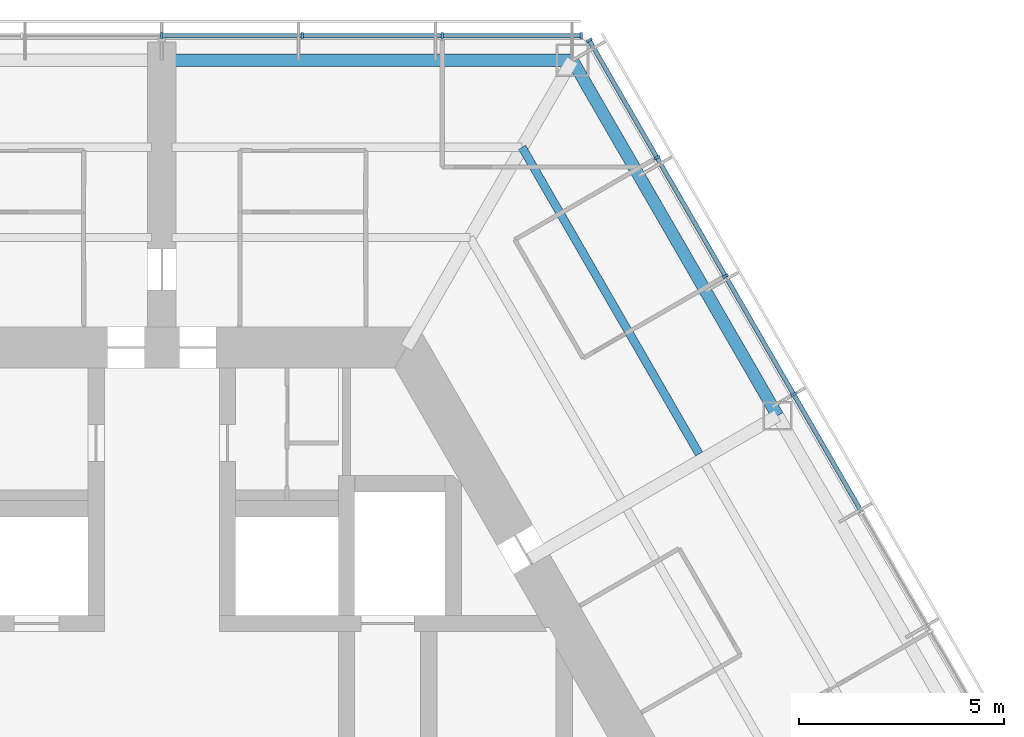
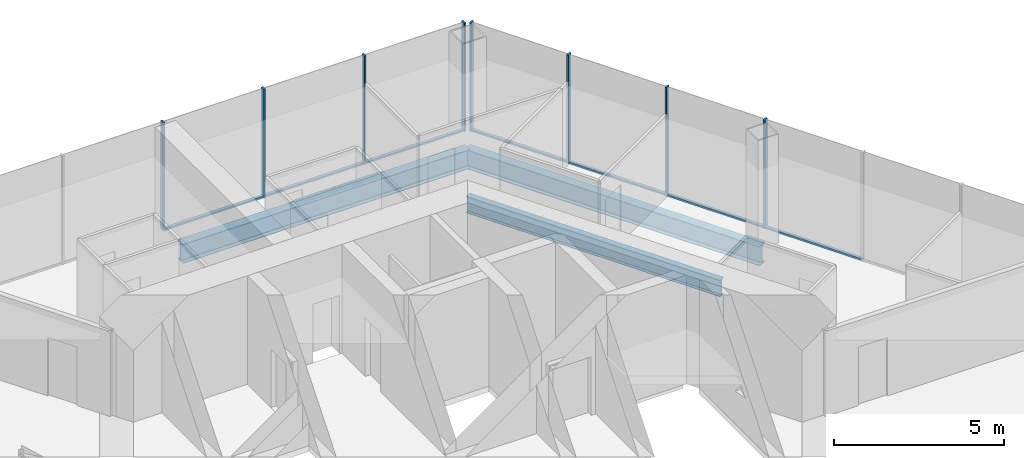
# One storey, part 8 of 18: 15 members, 3 beams, 2 elements without a shape of their own.
"""IFC4 building model written with IfcOpenShell, lengths in metres."""

from ifc_helpers import new_model, si_unit, direction, frame, origin, origin_2d, place, context, subcontext, project, spatial, rectangle, i_section, extrude, material, material_profile, profile_set, type_object, element, aggregate, save


model = new_model("IFC4")

# Units and contexts
model_context = context("Model", 3, precision=1e-05, world=origin(), true_north=direction((0.0, 1.0)))
body_context = subcontext(model_context, "Body", "Model", "MODEL_VIEW")
ifc_project = project(units=[si_unit("LENGTHUNIT", "METRE"), si_unit("AREAUNIT", "SQUARE_METRE"), si_unit("VOLUMEUNIT", "CUBIC_METRE"), si_unit("PLANEANGLEUNIT", "RADIAN"), si_unit("MASSUNIT", "GRAM", prefix="KILO")], contexts=[model_context])

# Site, building, storey
site_placement = place(None, origin())
site = spatial("IfcSite", under=ifc_project, at=site_placement, CompositionType="ELEMENT")
building_placement = place(site_placement, origin())
building = spatial("IfcBuilding", under=site, at=building_placement, Name="Kasaneha Research Tower", CompositionType="ELEMENT")
storey_placement = place(building_placement, frame((0.0, 0.0, 152.60009765625)))
storey = spatial("IfcBuildingStorey", under=building, at=storey_placement, Name="L38", CompositionType="ELEMENT", Elevation=152.60009765625)

# Beam
ifc_material_1 = material(Name="Steel SN490B", Category="steel")
ifc_material_profile_1 = material_profile(ifc_material_1, i_section(OverallWidth=0.199951171875, OverallDepth=0.60009765625, WebThickness=0.010986328125, FlangeThickness=0.01708984375, FilletRadius=0.012939453125, at=origin_2d()), Name="H-600x200x11x17")
ifc_profile_set_1 = profile_set([ifc_material_profile_1], Name="Steel SN490B")
beam_type_1 = type_object("IfcBeamType", Name="B1-3 secondary beam H-600x200x11x17", PredefinedType="JOIST", material=ifc_profile_set_1)
beam_1_placement = place(storey_placement, frame((8.775634765625, 15.199951171875, -0.4501953125), z_axis=(0.500017275495, -0.866015429543, 0.0), x_axis=(0.866015429543, 0.500017275495, 0.0)))
element("IfcBeam", 1, at=beam_1_placement, inside=storey, type_object=beam_type_1, Name="Secondary beam RS030R2 L38", PredefinedType="JOIST", context=body_context, shape_type="SweptSolid", body=[
    extrude(i_section(OverallWidth=0.199951171875, OverallDepth=0.60009765625, WebThickness=0.010986328125, FlangeThickness=0.01708984375, FilletRadius=0.012939453125, at=origin_2d()), origin(), (0.0, 0.0, 1.0), 8.625732421875),
])

# Curtain wall, members
ifc_material_2 = material(Name="Glass and aluminium", Category="aluminium")
curtain_wall_type = type_object("IfcCurtainWallType", Name="Mid-rise office curtain wall", PredefinedType="USERDEFINED", material=ifc_material_2)
curtain_wall_1_placement = place(storey_placement, origin())
curtain_wall_1 = element("IfcCurtainWall", 2, at=curtain_wall_1_placement, inside=storey, type_object=curtain_wall_type, Name="CW-O2 L38 run 06a", ObjectType="UNITISED CURTAIN WALL", PredefinedType="USERDEFINED")
ifc_material_3 = material(Name="Aluminium 6063-T6", Category="aluminium")
ifc_material_profile_2 = material_profile(ifc_material_3, rectangle(XDim=0.06005859375, YDim=0.14990234375, at=origin_2d()), Name="CW-O2 mullion 60x150")
ifc_profile_set_2 = profile_set([ifc_material_profile_2], Name="Aluminium 6063-T6")
member_type_1 = type_object("IfcMemberType", Name="CW-O2 mullion", PredefinedType="MULLION", material=ifc_profile_set_2)
member_1_placement = place(storey_placement, frame((15.392822265625, 9.179931640625, 0.0), z_axis=(0.0, 0.0, 1.0), x_axis=(-0.499999979232, 0.866025415775, 0.0)))
member_1 = element("IfcMember", 3, at=member_1_placement, type_object=member_type_1, Name="CW-O2 mullion 4", PredefinedType="MULLION", context=body_context, shape_type="SweptSolid", body=[
    extrude(rectangle(XDim=0.06005859375, YDim=0.14990234375, at=origin_2d()), origin(), (0.0, 0.0, 1.0), 3.89990234375),
])
member_2_placement = place(storey_placement, frame((13.727294921875, 12.064453125, 0.0), z_axis=(0.0, 0.0, 1.0), x_axis=(-0.499999979232, 0.866025415775, 0.0)))
member_2 = element("IfcMember", 4, at=member_2_placement, type_object=member_type_1, Name="CW-O2 mullion 5", PredefinedType="MULLION", context=body_context, shape_type="SweptSolid", body=[
    extrude(rectangle(XDim=0.06005859375, YDim=0.14990234375, at=origin_2d()), origin(), (0.0, 0.0, 1.0), 3.89990234375),
])
member_3_placement = place(storey_placement, frame((12.061767578125, 14.94921875, 0.0), z_axis=(0.0, 0.0, 1.0), x_axis=(-0.499999979232, 0.866025415775, 0.0)))
member_3 = element("IfcMember", 5, at=member_3_placement, type_object=member_type_1, Name="CW-O2 mullion 6", PredefinedType="MULLION", context=body_context, shape_type="SweptSolid", body=[
    extrude(rectangle(XDim=0.06005859375, YDim=0.14990234375, at=origin_2d()), origin(), (0.0, 0.0, 1.0), 3.89990234375),
])
member_4_placement = place(storey_placement, frame((10.411376953125, 17.807861328125, 0.0), z_axis=(0.0, 0.0, 1.0), x_axis=(-0.499999979232, 0.866025415775, 0.0)))
member_4 = element("IfcMember", 6, at=member_4_placement, type_object=member_type_1, Name="CW-O2 mullion 7", PredefinedType="MULLION", context=body_context, shape_type="SweptSolid", body=[
    extrude(rectangle(XDim=0.06005859375, YDim=0.14990234375, at=origin_2d()), origin(), (0.0, 0.0, 1.0), 3.89990234375),
])

curtain_wall_2_placement = place(storey_placement, origin())
curtain_wall_2 = element("IfcCurtainWall", 7, at=curtain_wall_2_placement, inside=storey, type_object=curtain_wall_type, Name="CW-O2 L38 run 07a", ObjectType="UNITISED CURTAIN WALL", PredefinedType="USERDEFINED")
member_5_placement = place(storey_placement, frame((10.21630859375, 17.92041015625, 0.0), z_axis=(0.0, 0.0, 1.0), x_axis=(-1.0, 0.0, 0.0)))
member_5 = element("IfcMember", 8, at=member_5_placement, type_object=member_type_1, Name="CW-O2 mullion 1", PredefinedType="MULLION", context=body_context, shape_type="SweptSolid", body=[
    extrude(rectangle(XDim=0.06005859375, YDim=0.14990234375, at=origin_2d()), origin(), (0.0, 0.0, 1.0), 3.89990234375),
])
member_6_placement = place(storey_placement, frame((6.8310546875, 17.92041015625, 0.0), z_axis=(0.0, 0.0, 1.0), x_axis=(-1.0, 0.0, 0.0)))
member_6 = element("IfcMember", 9, at=member_6_placement, type_object=member_type_1, Name="CW-O2 mullion 2", PredefinedType="MULLION", context=body_context, shape_type="SweptSolid", body=[
    extrude(rectangle(XDim=0.06005859375, YDim=0.14990234375, at=origin_2d()), origin(), (0.0, 0.0, 1.0), 3.89990234375),
])
member_7_placement = place(storey_placement, frame((3.41552734375, 17.92041015625, 0.0), z_axis=(0.0, 0.0, 1.0), x_axis=(-1.0, 0.0, 0.0)))
member_7 = element("IfcMember", 10, at=member_7_placement, type_object=member_type_1, Name="CW-O2 mullion 3", PredefinedType="MULLION", context=body_context, shape_type="SweptSolid", body=[
    extrude(rectangle(XDim=0.06005859375, YDim=0.14990234375, at=origin_2d()), origin(), (0.0, 0.0, 1.0), 3.89990234375),
])
member_8_placement = place(storey_placement, frame((0.0, 17.92041015625, 0.0), z_axis=(0.0, 0.0, 1.0), x_axis=(-1.0, 0.0, 0.0)))
member_8 = element("IfcMember", 11, at=member_8_placement, type_object=member_type_1, Name="CW-O2 mullion 4", PredefinedType="MULLION", context=body_context, shape_type="SweptSolid", body=[
    extrude(rectangle(XDim=0.06005859375, YDim=0.14990234375, at=origin_2d()), origin(), (0.0, 0.0, 1.0), 3.89990234375),
])

# Member
ifc_material_4 = material(Name="Aluminium 6063-T6", Category="aluminium")
ifc_material_profile_3 = material_profile(ifc_material_4, rectangle(XDim=0.110107421875, YDim=0.06005859375, at=origin_2d()), Name="CW-O2 transom 110x60")
ifc_profile_set_3 = profile_set([ifc_material_profile_3], Name="Aluminium 6063-T6")
member_type_2 = type_object("IfcMemberType", Name="CW-O2 transom", PredefinedType="USERDEFINED", material=ifc_profile_set_3)
member_9_placement = place(storey_placement, frame((17.043212890625, 6.3212890625, 0.02978515625), z_axis=(-0.50003259116, 0.866006586452, 0.0), x_axis=(-0.866006586452, -0.50003259116, 0.0)))
member_9 = element("IfcMember", 12, at=member_9_placement, type_object=member_type_2, Name="CW-O2 transom 3", ObjectType="TRANSOM", PredefinedType="USERDEFINED", context=body_context, shape_type="SweptSolid", body=[
    extrude(rectangle(XDim=0.110107421875, YDim=0.06005859375, at=origin_2d()), origin(), (0.0, 0.0, 1.0), 3.270751953125),
])

member_10_placement = place(storey_placement, frame((15.3779296875, 9.205810546875, 0.02978515625), z_axis=(-0.500000270186, 0.866025247793, 0.0), x_axis=(-0.866025247793, -0.500000270186, 0.0)))
member_10 = element("IfcMember", 13, at=member_10_placement, type_object=member_type_2, Name="CW-O2 transom 4", ObjectType="TRANSOM", PredefinedType="USERDEFINED", context=body_context, shape_type="SweptSolid", body=[
    extrude(rectangle(XDim=0.110107421875, YDim=0.06005859375, at=origin_2d()), origin(), (0.0, 0.0, 1.0), 3.27099609375),
])

member_11_placement = place(storey_placement, frame((13.71240234375, 12.090576171875, 0.02978515625), z_axis=(-0.500000270186, 0.866025247793, 0.0), x_axis=(-0.866025247793, -0.500000270186, 0.0)))
member_11 = element("IfcMember", 14, at=member_11_placement, type_object=member_type_2, Name="CW-O2 transom 5", ObjectType="TRANSOM", PredefinedType="USERDEFINED", context=body_context, shape_type="SweptSolid", body=[
    extrude(rectangle(XDim=0.110107421875, YDim=0.06005859375, at=origin_2d()), origin(), (0.0, 0.0, 1.0), 3.27099609375),
])

member_12_placement = place(storey_placement, frame((12.046875, 14.97509765625, 0.02978515625), z_axis=(-0.499955025697, 0.866051368154, 0.0), x_axis=(-0.866051368154, -0.499955025697, 0.0)))
member_12 = element("IfcMember", 15, at=member_12_placement, type_object=member_type_2, Name="CW-O2 transom 6", ObjectType="TRANSOM", PredefinedType="USERDEFINED", context=body_context, shape_type="SweptSolid", body=[
    extrude(rectangle(XDim=0.110107421875, YDim=0.06005859375, at=origin_2d()), origin(), (0.0, 0.0, 1.0), 3.240966796875),
])

aggregate(curtain_wall_1, [member_1, member_2, member_3, member_4, member_9, member_10, member_11, member_12])

member_13_placement = place(storey_placement, frame((10.1865234375, 17.92041015625, 0.02978515625), z_axis=(-1.0, 0.0, 0.0), x_axis=(0.0, -1.0, 0.0)))
member_13 = element("IfcMember", 16, at=member_13_placement, type_object=member_type_2, Name="CW-O2 transom 1", ObjectType="TRANSOM", PredefinedType="USERDEFINED", context=body_context, shape_type="SweptSolid", body=[
    extrude(rectangle(XDim=0.110107421875, YDim=0.06005859375, at=origin_2d()), origin(), (0.0, 0.0, 1.0), 3.32568359375),
])

member_14_placement = place(storey_placement, frame((6.801025390625, 17.92041015625, 0.02978515625), z_axis=(-1.0, 0.0, 0.0), x_axis=(0.0, -1.0, 0.0)))
member_14 = element("IfcMember", 17, at=member_14_placement, type_object=member_type_2, Name="CW-O2 transom 2", ObjectType="TRANSOM", PredefinedType="USERDEFINED", context=body_context, shape_type="SweptSolid", body=[
    extrude(rectangle(XDim=0.110107421875, YDim=0.06005859375, at=origin_2d()), origin(), (0.0, 0.0, 1.0), 3.35546875),
])

member_15_placement = place(storey_placement, frame((3.385498046875, 17.92041015625, 0.02978515625), z_axis=(-1.0, 0.0, 0.0), x_axis=(0.0, -1.0, 0.0)))
member_15 = element("IfcMember", 18, at=member_15_placement, type_object=member_type_2, Name="CW-O2 transom 3", ObjectType="TRANSOM", PredefinedType="USERDEFINED", context=body_context, shape_type="SweptSolid", body=[
    extrude(rectangle(XDim=0.110107421875, YDim=0.06005859375, at=origin_2d()), origin(), (0.0, 0.0, 1.0), 3.35546875),
])

aggregate(curtain_wall_2, [member_5, member_6, member_7, member_8, member_13, member_14, member_15])

# Beams
ifc_material_5 = material(Name="Steel SN490B", Category="steel")
ifc_material_profile_4 = material_profile(ifc_material_5, i_section(OverallWidth=0.300048828125, OverallDepth=0.69189453125, WebThickness=0.012939453125, FlangeThickness=0.02001953125, FilletRadius=0.01806640625, at=origin_2d()), Name="H-692x300x13x20")
ifc_profile_set_4 = profile_set([ifc_material_profile_4], Name="Steel SN490B")
beam_type_2 = type_object("IfcBeamType", Name="G3-3 plate edge girder H-692x300x13x20", PredefinedType="BEAM", material=ifc_profile_set_4)
beam_2_placement = place(storey_placement, frame((10.0, 17.320556640625, -0.49609375), z_axis=(-1.0, 0.0, 0.0), x_axis=(0.0, -1.0, 0.0)))
element("IfcBeam", 19, at=beam_2_placement, inside=storey, type_object=beam_type_2, Name="Plate edge girder PEAP L38", PredefinedType="BEAM", context=body_context, shape_type="SweptSolid", body=[
    extrude(i_section(OverallWidth=0.300048828125, OverallDepth=0.69189453125, WebThickness=0.012939453125, FlangeThickness=0.02001953125, FilletRadius=0.01806640625, at=origin_2d()), origin(), (0.0, 0.0, 1.0), 9.75),
])
ifc_material_6 = material(Name="Steel SN490B", Category="steel")
ifc_material_profile_5 = material_profile(ifc_material_6, i_section(OverallWidth=0.300048828125, OverallDepth=0.69189453125, WebThickness=0.012939453125, FlangeThickness=0.02001953125, FilletRadius=0.01806640625, at=origin_2d()), Name="H-692x300x13x20")
ifc_profile_set_5 = profile_set([ifc_material_profile_5], Name="Steel SN490B")
beam_type_3 = type_object("IfcBeamType", Name="SB1-3 spandrel beam H-692x300x13x20", PredefinedType="SPANDREL", material=ifc_profile_set_5)
beam_3_placement = place(storey_placement, frame((10.0, 17.320556640625, -0.49609375), z_axis=(0.499993662806, -0.866029062534, 0.0), x_axis=(0.866029062534, 0.499993662806, 0.0)))
element("IfcBeam", 20, at=beam_3_placement, inside=storey, type_object=beam_type_3, Name="Spandrel beam SR030R L38", PredefinedType="SPANDREL", context=body_context, shape_type="SweptSolid", body=[
    extrude(i_section(OverallWidth=0.300048828125, OverallDepth=0.69189453125, WebThickness=0.012939453125, FlangeThickness=0.02001953125, FilletRadius=0.01806640625, at=origin_2d()), origin(), (0.0, 0.0, 1.0), 10.000244140625),
])

save(model, "model.ifc")
